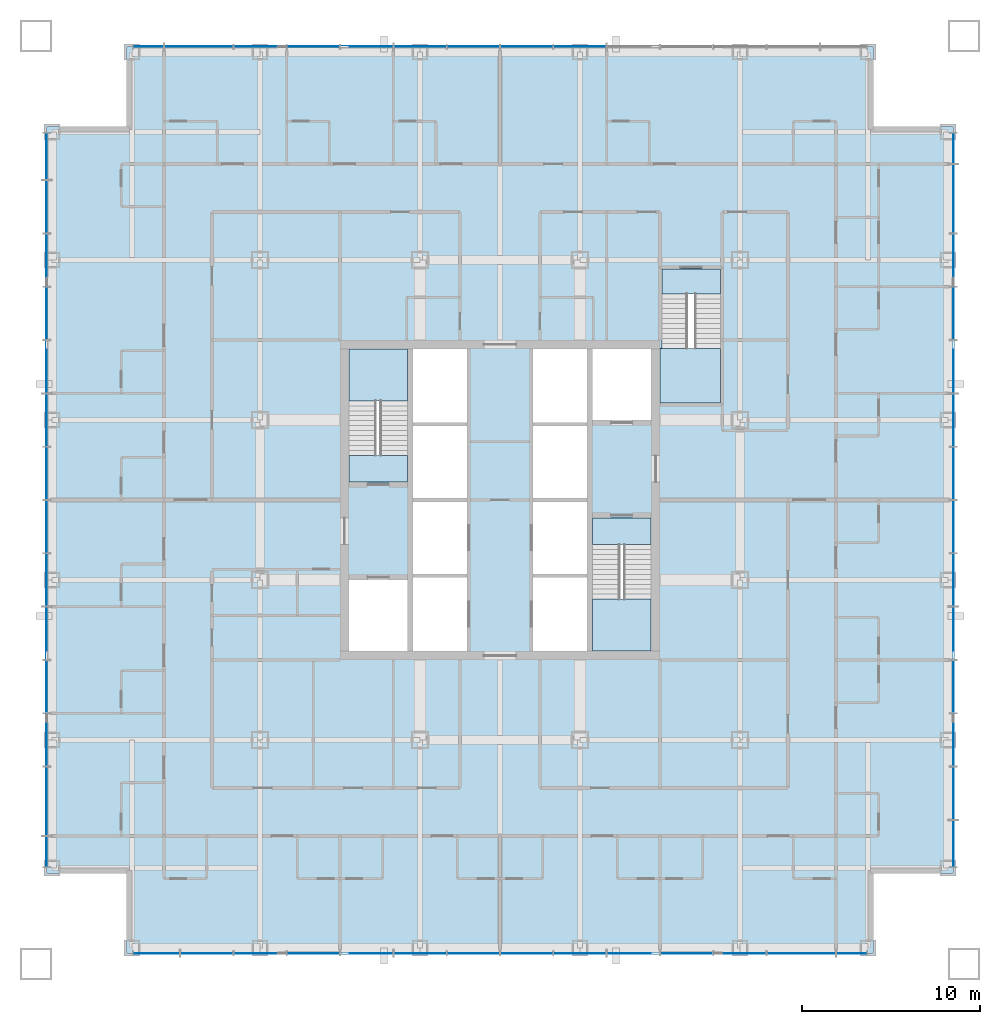
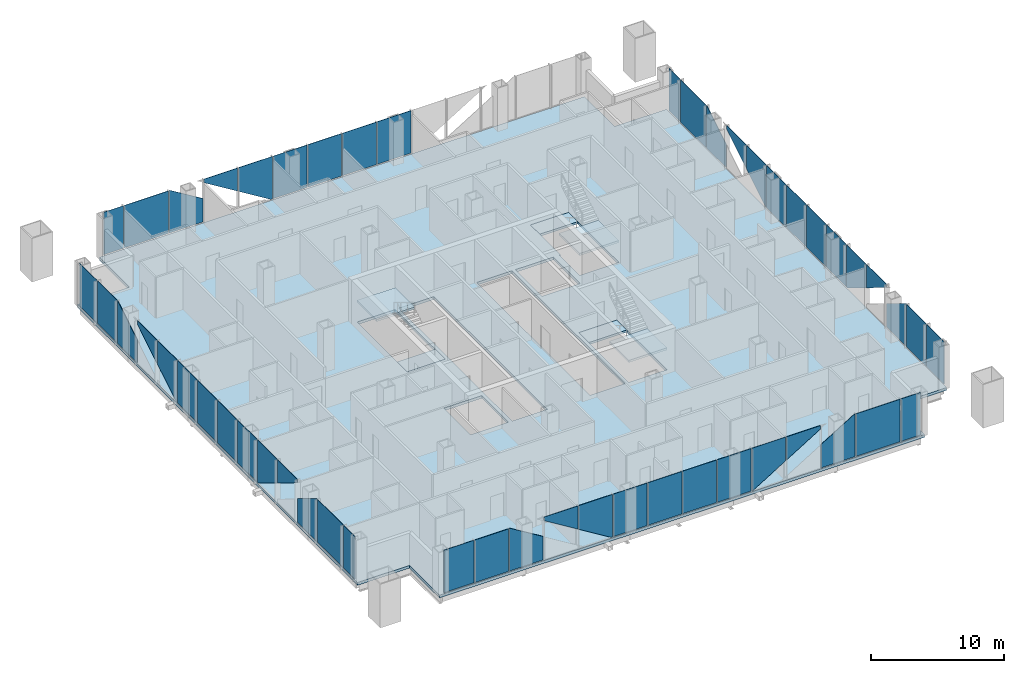
# One storey, part 6 of 17: 51 plates, 7 slabs, 7 elements without a shape of their own.
"""IFC4 building model written with IfcOpenShell, lengths in metres."""

from ifc_helpers import new_model, si_unit, direction, frame, origin, origin_2d, place, context, subcontext, project, spatial, polyline, rectangle, outline, extrude, material, layer, layer_set, type_object, element, aggregate, save


model = new_model("IFC4")

# Units and contexts
model_context = context("Model", 3, precision=1e-05, world=origin(), true_north=direction((0.0, 1.0)))
body_context = subcontext(model_context, "Body", "Model", "MODEL_VIEW")
ifc_project = project(units=[si_unit("LENGTHUNIT", "METRE"), si_unit("AREAUNIT", "SQUARE_METRE"), si_unit("VOLUMEUNIT", "CUBIC_METRE"), si_unit("PLANEANGLEUNIT", "RADIAN"), si_unit("MASSUNIT", "GRAM", prefix="KILO")], contexts=[model_context])

# Site, building, storey
site_placement = place(None, origin())
site = spatial("IfcSite", under=ifc_project, at=site_placement, CompositionType="ELEMENT")
building_placement = place(site_placement, origin())
building = spatial("IfcBuilding", under=site, at=building_placement, Name="Malebo Sky Hospital", CompositionType="ELEMENT")
storey_placement = place(building_placement, frame((0.0, 0.0, 51.0)))
storey = spatial("IfcBuildingStorey", under=building, at=storey_placement, Name="L11", CompositionType="ELEMENT", Elevation=51.0)

# Slab
ifc_material_1 = material(Name="Concrete C40/50", Category="concrete")
ifc_layer_1 = layer(ifc_material_1, 0.25)
ifc_layer_set_1 = layer_set([ifc_layer_1], Name="COMPOSITE FLOOR SLAB 250")
slab_type_1 = type_object("IfcSlabType", Name="COMPOSITE FLOOR SLAB 250", PredefinedType="FLOOR", material=ifc_layer_set_1)
slab_1_placement = place(storey_placement, frame((0.0, 0.0, -0.25)))
element("IfcSlab", 1, at=slab_1_placement, inside=storey, type_object=slab_type_1, Name="Floor slab L11", PredefinedType="FLOOR", context=body_context, shape_type="SweptSolid", body=[
    extrude(outline(polyline([(39.0, 87.5), (39.0, 83.0), (34.5, 83.0), (34.5, 41.0), (39.0, 41.0), (39.0, 36.5), (81.0, 36.5), (81.0, 41.0), (85.5, 41.0), (85.5, 83.0), (81.0, 83.0), (81.0, 87.5), (39.0, 87.5)]), holes=[polyline([(55.10009765625, 70.5), (58.14990234375, 70.5), (58.14990234375, 53.5), (55.10009765625, 53.5), (55.10009765625, 70.5)]), polyline([(64.89990234375, 70.5), (64.89990234375, 53.5), (61.85009765625, 53.5), (61.85009765625, 70.5), (64.89990234375, 70.5)]), polyline([(54.800048828125, 63.0), (51.5, 63.0), (51.5, 70.5), (54.800048828125, 70.5), (54.800048828125, 63.0)]), polyline([(51.5, 53.5), (51.5, 57.5), (54.800048828125, 57.5), (54.800048828125, 53.5), (51.5, 53.5)]), polyline([(65.199951171875, 61.0), (68.5, 61.0), (68.5, 53.5), (65.199951171875, 53.5), (65.199951171875, 61.0)]), polyline([(68.5, 70.5), (68.5, 66.5), (65.199951171875, 66.5), (65.199951171875, 70.5), (68.5, 70.5)]), polyline([(69.0, 67.449951171875), (69.0, 70.52001953125), (69.10009765625, 70.52001953125), (69.10009765625, 75.0), (72.39990234375, 75.0), (72.39990234375, 67.449951171875), (69.10009765625, 67.449951171875), (69.0, 67.449951171875)])]), origin(), (0.0, 0.0, 1.0), 0.25),
])

# Stair, slabs
stair_type_1 = type_object("IfcStairType", Name="HALF-TURN STAIR 1500 R167", PredefinedType="HALF_TURN_STAIR", material=ifc_material_1)
stair_1_placement = place(storey_placement, origin())
stair_1 = element("IfcStair", 2, at=stair_1_placement, inside=storey, type_object=stair_type_1, Name="Stair S1 L11 type ST1", PredefinedType="HALF_TURN_STAIR")
ifc_layer_2 = layer(ifc_material_1, 0.199951171875)
ifc_layer_set_2 = layer_set([ifc_layer_2], Name="STAIR LANDING 200")
slab_type_2 = type_object("IfcSlabType", Name="STAIR LANDING 200", PredefinedType="LANDING", material=ifc_layer_set_2)
slab_2_placement = place(storey_placement, frame((0.0, 0.0, -0.199951171875)))
slab_2 = element("IfcSlab", 3, at=slab_2_placement, type_object=slab_type_2, Name="S1 landing 1", PredefinedType="LANDING", context=body_context, shape_type="SweptSolid", body=[
    extrude(outline(polyline([(51.5, 63.0), (54.800048828125, 63.0), (54.800048828125, 64.5), (51.5, 64.5), (51.5, 63.0)])), origin(), (0.0, 0.0, 1.0), 0.199951171875),
])
slab_3_placement = place(storey_placement, frame((0.0, 0.0, 1.800048828125)))
slab_3 = element("IfcSlab", 4, at=slab_3_placement, type_object=slab_type_2, Name="S1 landing 2", PredefinedType="LANDING", context=body_context, shape_type="SweptSolid", body=[
    extrude(outline(polyline([(51.5, 67.580078125), (54.800048828125, 67.580078125), (54.800048828125, 70.5), (51.5, 70.5), (51.5, 67.580078125)])), origin(), (0.0, 0.0, 1.0), 0.199951171875),
])
aggregate(stair_1, [slab_2, slab_3])

stair_2_placement = place(storey_placement, origin())
stair_2 = element("IfcStair", 5, at=stair_2_placement, inside=storey, type_object=stair_type_1, Name="Stair S2 L11 type ST1", PredefinedType="HALF_TURN_STAIR")
slab_4_placement = place(storey_placement, frame((0.0, 0.0, -0.199951171875)))
slab_4 = element("IfcSlab", 6, at=slab_4_placement, type_object=slab_type_2, Name="S2 landing 1", PredefinedType="LANDING", context=body_context, shape_type="SweptSolid", body=[
    extrude(outline(polyline([(65.199951171875, 59.5), (68.5, 59.5), (68.5, 61.0), (65.199951171875, 61.0), (65.199951171875, 59.5)])), origin(), (0.0, 0.0, 1.0), 0.199951171875),
])
slab_5_placement = place(storey_placement, frame((0.0, 0.0, 1.800048828125)))
slab_5 = element("IfcSlab", 7, at=slab_5_placement, type_object=slab_type_2, Name="S2 landing 2", PredefinedType="LANDING", context=body_context, shape_type="SweptSolid", body=[
    extrude(outline(polyline([(65.199951171875, 53.5), (68.5, 53.5), (68.5, 56.419921875), (65.199951171875, 56.419921875), (65.199951171875, 53.5)])), origin(), (0.0, 0.0, 1.0), 0.199951171875),
])
aggregate(stair_2, [slab_4, slab_5])

stair_type_2 = type_object("IfcStairType", Name="HALF-TURN STAIR 1400 R167", PredefinedType="HALF_TURN_STAIR", material=ifc_material_1)
stair_3_placement = place(storey_placement, origin())
stair_3 = element("IfcStair", 8, at=stair_3_placement, inside=storey, type_object=stair_type_2, Name="Stair S3 L11 type ST1B", PredefinedType="HALF_TURN_STAIR")
slab_6_placement = place(storey_placement, frame((0.0, 0.0, -0.199951171875)))
slab_6 = element("IfcSlab", 9, at=slab_6_placement, type_object=slab_type_2, Name="S3 landing 1", PredefinedType="LANDING", context=body_context, shape_type="SweptSolid", body=[
    extrude(outline(polyline([(69.10009765625, 73.60009765625), (72.39990234375, 73.60009765625), (72.39990234375, 75.0), (69.10009765625, 75.0), (69.10009765625, 73.60009765625)])), origin(), (0.0, 0.0, 1.0), 0.199951171875),
])
slab_7_placement = place(storey_placement, frame((0.0, 0.0, 1.800048828125)))
slab_7 = element("IfcSlab", 10, at=slab_7_placement, type_object=slab_type_2, Name="S3 landing 2", PredefinedType="LANDING", context=body_context, shape_type="SweptSolid", body=[
    extrude(outline(polyline([(69.0, 67.449951171875), (72.39990234375, 67.449951171875), (72.39990234375, 70.52001953125), (69.0, 70.52001953125), (69.0, 67.449951171875)])), origin(), (0.0, 0.0, 1.0), 0.199951171875),
])
aggregate(stair_3, [slab_6, slab_7])

# Curtain wall, plates
ifc_material_2 = material(Name="Anodised aluminium, natural silver", Category="aluminium")
ifc_layer_3 = layer(ifc_material_2, 0.25)
ifc_layer_set_3 = layer_set([ifc_layer_3], Name="WARD CURTAIN WALL NORTH AND SOUTH")
curtain_wall_type_1 = type_object("IfcCurtainWallType", Name="WARD CURTAIN WALL NORTH AND SOUTH", PredefinedType="NOTDEFINED", material=ifc_layer_set_3)
curtain_wall_1_placement = place(storey_placement, origin())
curtain_wall_1 = element("IfcCurtainWall", 11, at=curtain_wall_1_placement, inside=storey, type_object=curtain_wall_type_1, Name="NS curtain wall N", PredefinedType="NOTDEFINED")
ifc_material_3 = material(Name="Clear low-iron double glazing", Category="glass")
ifc_layer_4 = layer(ifc_material_3, 0.031982421875)
ifc_layer_set_4 = layer_set([ifc_layer_4], Name="VISION PANEL CLEAR 32")
plate_type = type_object("IfcPlateType", Name="VISION PANEL CLEAR 32", PredefinedType="CURTAIN_PANEL", material=ifc_layer_set_4)
plate_1_placement = place(storey_placement, frame((40.21875, 87.5, 0.10009765625), z_axis=(0.0, 0.0, 1.0), x_axis=(1.0, 0.0, 0.0)))
plate_1 = element("IfcPlate", 12, at=plate_1_placement, type_object=plate_type, Name="Panel 1", PredefinedType="CURTAIN_PANEL", context=body_context, shape_type="SweptSolid", body=[
    extrude(rectangle(XDim=1.6875, YDim=0.031982421875, at=origin_2d()), origin(), (0.0, 0.0, 1.0), 3.889892578125),
])
plate_2_placement = place(storey_placement, frame((43.050048828125, 87.5, 0.10009765625), z_axis=(0.0, 0.0, 1.0), x_axis=(1.0, 0.0, 0.0)))
plate_2 = element("IfcPlate", 13, at=plate_2_placement, type_object=plate_type, Name="Panel 2", PredefinedType="CURTAIN_PANEL", context=body_context, shape_type="SweptSolid", body=[
    extrude(rectangle(XDim=3.824951171875, YDim=0.031982421875, at=origin_2d()), origin(), (0.0, 0.0, 1.0), 3.889892578125),
])
plate_3_placement = place(storey_placement, frame((46.5, 87.5, 0.10009765625), z_axis=(0.0, 0.0, 1.0), x_axis=(1.0, 0.0, 0.0)))
plate_3 = element("IfcPlate", 14, at=plate_3_placement, type_object=plate_type, Name="Panel 3", PredefinedType="CURTAIN_PANEL", context=body_context, shape_type="SweptSolid", body=[
    extrude(outline(polyline([(-1.46240234375, 0.0), (1.46240234375, 0.0), (1.46240234375, 2.145751953125), (-1.3828125, 3.889892578125), (-1.46240234375, 3.889892578125), (-1.46240234375, 0.0)])), frame((0.0, 0.01611328125, 0.0), z_axis=(0.0, -1.0, 0.0), x_axis=(1.0, 0.0, 0.0)), (0.0, 0.0, 1.0), 0.031982421875),
])
plate_4_placement = place(storey_placement, frame((49.5, 87.5, 1.8740234375), z_axis=(0.0, 0.0, 1.0), x_axis=(1.0, 0.0, 0.0)))
plate_4 = element("IfcPlate", 15, at=plate_4_placement, type_object=plate_type, Name="Panel 4", PredefinedType="CURTAIN_PANEL", context=body_context, shape_type="SweptSolid", body=[
    extrude(outline(polyline([(1.46240234375, 0.0), (1.46240234375, 2.115966796875), (-1.46240234375, 2.115966796875), (-1.46240234375, 1.793212890625), (1.46240234375, 0.0)])), frame((0.0, 0.01611328125, 0.0), z_axis=(0.0, -1.0, 0.0), x_axis=(1.0, 0.0, 0.0)), (0.0, 0.0, 1.0), 0.031982421875),
])
plate_5_placement = place(storey_placement, frame((52.5, 87.5, 0.10009765625), z_axis=(0.0, 0.0, 1.0), x_axis=(1.0, 0.0, 0.0)))
plate_5 = element("IfcPlate", 16, at=plate_5_placement, type_object=plate_type, Name="Panel 5", PredefinedType="CURTAIN_PANEL", context=body_context, shape_type="SweptSolid", body=[
    extrude(outline(polyline([(1.356201171875, 0.0), (1.46240234375, 0.0), (1.46240234375, 3.889892578125), (-1.46240234375, 3.889892578125), (-1.46240234375, 1.72802734375), (1.356201171875, 0.0)])), frame((0.0, 0.01611328125, 0.0), z_axis=(0.0, -1.0, 0.0), x_axis=(1.0, 0.0, 0.0)), (0.0, 0.0, 1.0), 0.031982421875),
])
plate_6_placement = place(storey_placement, frame((55.5, 87.5, 0.10009765625), z_axis=(0.0, 0.0, 1.0), x_axis=(1.0, 0.0, 0.0)))
plate_6 = element("IfcPlate", 17, at=plate_6_placement, type_object=plate_type, Name="Panel 6", PredefinedType="CURTAIN_PANEL", context=body_context, shape_type="SweptSolid", body=[
    extrude(rectangle(XDim=2.925048828125, YDim=0.031982421875, at=origin_2d()), origin(), (0.0, 0.0, 1.0), 3.889892578125),
])
plate_7_placement = place(storey_placement, frame((58.5, 87.5, 0.10009765625), z_axis=(0.0, 0.0, 1.0), x_axis=(1.0, 0.0, 0.0)))
plate_7 = element("IfcPlate", 18, at=plate_7_placement, type_object=plate_type, Name="Panel 7", PredefinedType="CURTAIN_PANEL", context=body_context, shape_type="SweptSolid", body=[
    extrude(rectangle(XDim=2.925048828125, YDim=0.031982421875, at=origin_2d()), origin(), (0.0, 0.0, 1.0), 3.889892578125),
])
plate_8_placement = place(storey_placement, frame((61.5, 87.5, 0.10009765625), z_axis=(0.0, 0.0, 1.0), x_axis=(1.0, 0.0, 0.0)))
plate_8 = element("IfcPlate", 19, at=plate_8_placement, type_object=plate_type, Name="Panel 8", PredefinedType="CURTAIN_PANEL", context=body_context, shape_type="SweptSolid", body=[
    extrude(rectangle(XDim=2.925048828125, YDim=0.031982421875, at=origin_2d()), origin(), (0.0, 0.0, 1.0), 3.889892578125),
])
plate_9_placement = place(storey_placement, frame((64.5, 87.5, 0.10009765625), z_axis=(0.0, 0.0, 1.0), x_axis=(1.0, 0.0, 0.0)))
plate_9 = element("IfcPlate", 20, at=plate_9_placement, type_object=plate_type, Name="Panel 9", PredefinedType="CURTAIN_PANEL", context=body_context, shape_type="SweptSolid", body=[
    extrude(rectangle(XDim=2.925048828125, YDim=0.031982421875, at=origin_2d()), origin(), (0.0, 0.0, 1.0), 3.889892578125),
])
aggregate(curtain_wall_1, [plate_1, plate_2, plate_3, plate_4, plate_5, plate_6, plate_7, plate_8, plate_9])

ifc_layer_5 = layer(ifc_material_2, 0.25)
ifc_layer_set_5 = layer_set([ifc_layer_5], Name="WARD CURTAIN WALL EAST AND WEST")
curtain_wall_type_2 = type_object("IfcCurtainWallType", Name="WARD CURTAIN WALL EAST AND WEST", PredefinedType="NOTDEFINED", material=ifc_layer_set_5)
curtain_wall_2_placement = place(storey_placement, origin())
curtain_wall_2 = element("IfcCurtainWall", 21, at=curtain_wall_2_placement, inside=storey, type_object=curtain_wall_type_2, Name="EW curtain wall W", PredefinedType="NOTDEFINED")
plate_10_placement = place(storey_placement, frame((34.5, 42.21875, 0.10009765625), z_axis=(0.0, 0.0, 1.0), x_axis=(0.0, 1.0, 0.0)))
plate_10 = element("IfcPlate", 22, at=plate_10_placement, type_object=plate_type, Name="Panel 1", PredefinedType="CURTAIN_PANEL", context=body_context, shape_type="SweptSolid", body=[
    extrude(rectangle(XDim=1.6875, YDim=0.031982421875, at=origin_2d()), origin(), (0.0, 0.0, 1.0), 3.889892578125),
])
plate_11_placement = place(storey_placement, frame((34.5, 45.050048828125, 0.10009765625), z_axis=(0.0, 0.0, 1.0), x_axis=(0.0, 1.0, 0.0)))
plate_11 = element("IfcPlate", 23, at=plate_11_placement, type_object=plate_type, Name="Panel 2", PredefinedType="CURTAIN_PANEL", context=body_context, shape_type="SweptSolid", body=[
    extrude(rectangle(XDim=3.824951171875, YDim=0.031982421875, at=origin_2d()), origin(), (0.0, 0.0, 1.0), 3.889892578125),
])
plate_12_placement = place(storey_placement, frame((34.5, 48.5, 0.10009765625), z_axis=(0.0, 0.0, 1.0), x_axis=(0.0, 1.0, 0.0)))
plate_12 = element("IfcPlate", 24, at=plate_12_placement, type_object=plate_type, Name="Panel 3", PredefinedType="CURTAIN_PANEL", context=body_context, shape_type="SweptSolid", body=[
    extrude(outline(polyline([(-1.46240234375, 0.0), (1.46240234375, 0.0), (1.46240234375, 2.145751953125), (-1.3828125, 3.889892578125), (-1.46240234375, 3.889892578125), (-1.46240234375, 0.0)])), frame((0.0, 0.01611328125, 0.0), z_axis=(0.0, -1.0, 0.0), x_axis=(1.0, 0.0, 0.0)), (0.0, 0.0, 1.0), 0.031982421875),
])
plate_13_placement = place(storey_placement, frame((34.5, 51.5, 1.8740234375), z_axis=(0.0, 0.0, 1.0), x_axis=(0.0, 1.0, 0.0)))
plate_13 = element("IfcPlate", 25, at=plate_13_placement, type_object=plate_type, Name="Panel 4", PredefinedType="CURTAIN_PANEL", context=body_context, shape_type="SweptSolid", body=[
    extrude(outline(polyline([(1.46240234375, 0.0), (1.46240234375, 2.115966796875), (-1.46240234375, 2.115966796875), (-1.46240234375, 1.793212890625), (1.46240234375, 0.0)])), frame((0.0, 0.01611328125, 0.0), z_axis=(0.0, -1.0, 0.0), x_axis=(1.0, 0.0, 0.0)), (0.0, 0.0, 1.0), 0.031982421875),
])
plate_14_placement = place(storey_placement, frame((34.5, 54.5, 0.10009765625), z_axis=(0.0, 0.0, 1.0), x_axis=(0.0, 1.0, 0.0)))
plate_14 = element("IfcPlate", 26, at=plate_14_placement, type_object=plate_type, Name="Panel 5", PredefinedType="CURTAIN_PANEL", context=body_context, shape_type="SweptSolid", body=[
    extrude(outline(polyline([(1.356201171875, 0.0), (1.46240234375, 0.0), (1.46240234375, 3.889892578125), (-1.46240234375, 3.889892578125), (-1.46240234375, 1.72802734375), (1.356201171875, 0.0)])), frame((0.0, 0.01611328125, 0.0), z_axis=(0.0, -1.0, 0.0), x_axis=(1.0, 0.0, 0.0)), (0.0, 0.0, 1.0), 0.031982421875),
])
plate_15_placement = place(storey_placement, frame((34.5, 57.5, 0.10009765625), z_axis=(0.0, 0.0, 1.0), x_axis=(0.0, 1.0, 0.0)))
plate_15 = element("IfcPlate", 27, at=plate_15_placement, type_object=plate_type, Name="Panel 6", PredefinedType="CURTAIN_PANEL", context=body_context, shape_type="SweptSolid", body=[
    extrude(rectangle(XDim=2.925048828125, YDim=0.031982421875, at=origin_2d()), origin(), (0.0, 0.0, 1.0), 3.889892578125),
])
plate_16_placement = place(storey_placement, frame((34.5, 60.5, 0.10009765625), z_axis=(0.0, 0.0, 1.0), x_axis=(0.0, 1.0, 0.0)))
plate_16 = element("IfcPlate", 28, at=plate_16_placement, type_object=plate_type, Name="Panel 7", PredefinedType="CURTAIN_PANEL", context=body_context, shape_type="SweptSolid", body=[
    extrude(rectangle(XDim=2.925048828125, YDim=0.031982421875, at=origin_2d()), origin(), (0.0, 0.0, 1.0), 3.889892578125),
])
plate_17_placement = place(storey_placement, frame((34.5, 63.5, 0.10009765625), z_axis=(0.0, 0.0, 1.0), x_axis=(0.0, 1.0, 0.0)))
plate_17 = element("IfcPlate", 29, at=plate_17_placement, type_object=plate_type, Name="Panel 8", PredefinedType="CURTAIN_PANEL", context=body_context, shape_type="SweptSolid", body=[
    extrude(rectangle(XDim=2.925048828125, YDim=0.031982421875, at=origin_2d()), origin(), (0.0, 0.0, 1.0), 3.889892578125),
])
plate_18_placement = place(storey_placement, frame((34.5, 66.5, 0.10009765625), z_axis=(0.0, 0.0, 1.0), x_axis=(0.0, 1.0, 0.0)))
plate_18 = element("IfcPlate", 30, at=plate_18_placement, type_object=plate_type, Name="Panel 9", PredefinedType="CURTAIN_PANEL", context=body_context, shape_type="SweptSolid", body=[
    extrude(rectangle(XDim=2.925048828125, YDim=0.031982421875, at=origin_2d()), origin(), (0.0, 0.0, 1.0), 3.889892578125),
])
plate_19_placement = place(storey_placement, frame((34.5, 69.5, 0.10009765625), z_axis=(0.0, 0.0, 1.0), x_axis=(0.0, 1.0, 0.0)))
plate_19 = element("IfcPlate", 31, at=plate_19_placement, type_object=plate_type, Name="Panel 10", PredefinedType="CURTAIN_PANEL", context=body_context, shape_type="SweptSolid", body=[
    extrude(outline(polyline([(-1.46240234375, 0.0), (-1.356201171875, 0.0), (1.46240234375, 1.72802734375), (1.46240234375, 3.889892578125), (-1.46240234375, 3.889892578125), (-1.46240234375, 0.0)])), frame((0.0, 0.01611328125, 0.0), z_axis=(0.0, -1.0, 0.0), x_axis=(1.0, 0.0, 0.0)), (0.0, 0.0, 1.0), 0.031982421875),
])
plate_20_placement = place(storey_placement, frame((34.5, 72.5, 1.8740234375), z_axis=(0.0, 0.0, 1.0), x_axis=(0.0, 1.0, 0.0)))
plate_20 = element("IfcPlate", 32, at=plate_20_placement, type_object=plate_type, Name="Panel 11", PredefinedType="CURTAIN_PANEL", context=body_context, shape_type="SweptSolid", body=[
    extrude(outline(polyline([(-1.46240234375, 0.0), (1.46240234375, 1.793212890625), (1.46240234375, 2.115966796875), (-1.46240234375, 2.115966796875), (-1.46240234375, 0.0)])), frame((0.0, 0.01611328125, 0.0), z_axis=(0.0, -1.0, 0.0), x_axis=(1.0, 0.0, 0.0)), (0.0, 0.0, 1.0), 0.031982421875),
])
plate_21_placement = place(storey_placement, frame((34.5, 75.5, 0.10009765625), z_axis=(0.0, 0.0, 1.0), x_axis=(0.0, 1.0, 0.0)))
plate_21 = element("IfcPlate", 33, at=plate_21_placement, type_object=plate_type, Name="Panel 12", PredefinedType="CURTAIN_PANEL", context=body_context, shape_type="SweptSolid", body=[
    extrude(outline(polyline([(-1.46240234375, 0.0), (1.46240234375, 0.0), (1.46240234375, 3.889892578125), (1.3828125, 3.889892578125), (-1.46240234375, 2.145751953125), (-1.46240234375, 0.0)])), frame((0.0, 0.01611328125, 0.0), z_axis=(0.0, -1.0, 0.0), x_axis=(1.0, 0.0, 0.0)), (0.0, 0.0, 1.0), 0.031982421875),
])
plate_22_placement = place(storey_placement, frame((34.5, 78.5, 0.10009765625), z_axis=(0.0, 0.0, 1.0), x_axis=(0.0, 1.0, 0.0)))
plate_22 = element("IfcPlate", 34, at=plate_22_placement, type_object=plate_type, Name="Panel 13", PredefinedType="CURTAIN_PANEL", context=body_context, shape_type="SweptSolid", body=[
    extrude(rectangle(XDim=2.925048828125, YDim=0.031982421875, at=origin_2d()), origin(), (0.0, 0.0, 1.0), 3.889892578125),
])
plate_23_placement = place(storey_placement, frame((34.5, 81.331298828125, 0.10009765625), z_axis=(0.0, 0.0, 1.0), x_axis=(0.0, 1.0, 0.0)))
plate_23 = element("IfcPlate", 35, at=plate_23_placement, type_object=plate_type, Name="Panel 14", PredefinedType="CURTAIN_PANEL", context=body_context, shape_type="SweptSolid", body=[
    extrude(rectangle(XDim=2.58740234375, YDim=0.031982421875, at=origin_2d()), origin(), (0.0, 0.0, 1.0), 3.889892578125),
])
aggregate(curtain_wall_2, [plate_10, plate_11, plate_12, plate_13, plate_14, plate_15, plate_16, plate_17, plate_18, plate_19, plate_20, plate_21, plate_22, plate_23])

curtain_wall_3_placement = place(storey_placement, origin())
curtain_wall_3 = element("IfcCurtainWall", 36, at=curtain_wall_3_placement, inside=storey, type_object=curtain_wall_type_1, Name="NS curtain wall S", PredefinedType="NOTDEFINED")
plate_24_placement = place(storey_placement, frame((79.78125, 36.5, 0.10009765625), z_axis=(0.0, 0.0, 1.0), x_axis=(-1.0, 0.0, 0.0)))
plate_24 = element("IfcPlate", 37, at=plate_24_placement, type_object=plate_type, Name="Panel 1", PredefinedType="CURTAIN_PANEL", context=body_context, shape_type="SweptSolid", body=[
    extrude(rectangle(XDim=1.6875, YDim=0.031982421875, at=origin_2d()), origin(), (0.0, 0.0, 1.0), 3.889892578125),
])
plate_25_placement = place(storey_placement, frame((76.949951171875, 36.5, 0.10009765625), z_axis=(0.0, 0.0, 1.0), x_axis=(-1.0, 0.0, 0.0)))
plate_25 = element("IfcPlate", 38, at=plate_25_placement, type_object=plate_type, Name="Panel 2", PredefinedType="CURTAIN_PANEL", context=body_context, shape_type="SweptSolid", body=[
    extrude(rectangle(XDim=3.824951171875, YDim=0.031982421875, at=origin_2d()), origin(), (0.0, 0.0, 1.0), 3.889892578125),
])
plate_26_placement = place(storey_placement, frame((73.5, 36.5, 0.10009765625), z_axis=(0.0, 0.0, 1.0), x_axis=(-1.0, 0.0, 0.0)))
plate_26 = element("IfcPlate", 39, at=plate_26_placement, type_object=plate_type, Name="Panel 3", PredefinedType="CURTAIN_PANEL", context=body_context, shape_type="SweptSolid", body=[
    extrude(outline(polyline([(-1.46240234375, 0.0), (1.46240234375, 0.0), (1.46240234375, 2.145751953125), (-1.3828125, 3.889892578125), (-1.46240234375, 3.889892578125), (-1.46240234375, 0.0)])), frame((0.0, 0.01611328125, 0.0), z_axis=(0.0, -1.0, 0.0), x_axis=(1.0, 0.0, 0.0)), (0.0, 0.0, 1.0), 0.031982421875),
])
plate_27_placement = place(storey_placement, frame((70.5, 36.5, 1.8740234375), z_axis=(0.0, 0.0, 1.0), x_axis=(-1.0, 0.0, 0.0)))
plate_27 = element("IfcPlate", 40, at=plate_27_placement, type_object=plate_type, Name="Panel 4", PredefinedType="CURTAIN_PANEL", context=body_context, shape_type="SweptSolid", body=[
    extrude(outline(polyline([(1.46240234375, 0.0), (1.46240234375, 2.115966796875), (-1.46240234375, 2.115966796875), (-1.46240234375, 1.793212890625), (1.46240234375, 0.0)])), frame((0.0, 0.01611328125, 0.0), z_axis=(0.0, -1.0, 0.0), x_axis=(1.0, 0.0, 0.0)), (0.0, 0.0, 1.0), 0.031982421875),
])
plate_28_placement = place(storey_placement, frame((67.5, 36.5, 0.10009765625), z_axis=(0.0, 0.0, 1.0), x_axis=(-1.0, 0.0, 0.0)))
plate_28 = element("IfcPlate", 41, at=plate_28_placement, type_object=plate_type, Name="Panel 5", PredefinedType="CURTAIN_PANEL", context=body_context, shape_type="SweptSolid", body=[
    extrude(outline(polyline([(1.356201171875, 0.0), (1.46240234375, 0.0), (1.46240234375, 3.889892578125), (-1.46240234375, 3.889892578125), (-1.46240234375, 1.72802734375), (1.356201171875, 0.0)])), frame((0.0, 0.01611328125, 0.0), z_axis=(0.0, -1.0, 0.0), x_axis=(1.0, 0.0, 0.0)), (0.0, 0.0, 1.0), 0.031982421875),
])
plate_29_placement = place(storey_placement, frame((64.5, 36.5, 0.10009765625), z_axis=(0.0, 0.0, 1.0), x_axis=(-1.0, 0.0, 0.0)))
plate_29 = element("IfcPlate", 42, at=plate_29_placement, type_object=plate_type, Name="Panel 6", PredefinedType="CURTAIN_PANEL", context=body_context, shape_type="SweptSolid", body=[
    extrude(rectangle(XDim=2.925048828125, YDim=0.031982421875, at=origin_2d()), origin(), (0.0, 0.0, 1.0), 3.889892578125),
])
plate_30_placement = place(storey_placement, frame((61.5, 36.5, 0.10009765625), z_axis=(0.0, 0.0, 1.0), x_axis=(-1.0, 0.0, 0.0)))
plate_30 = element("IfcPlate", 43, at=plate_30_placement, type_object=plate_type, Name="Panel 7", PredefinedType="CURTAIN_PANEL", context=body_context, shape_type="SweptSolid", body=[
    extrude(rectangle(XDim=2.925048828125, YDim=0.031982421875, at=origin_2d()), origin(), (0.0, 0.0, 1.0), 3.889892578125),
])
plate_31_placement = place(storey_placement, frame((58.5, 36.5, 0.10009765625), z_axis=(0.0, 0.0, 1.0), x_axis=(-1.0, 0.0, 0.0)))
plate_31 = element("IfcPlate", 44, at=plate_31_placement, type_object=plate_type, Name="Panel 8", PredefinedType="CURTAIN_PANEL", context=body_context, shape_type="SweptSolid", body=[
    extrude(rectangle(XDim=2.925048828125, YDim=0.031982421875, at=origin_2d()), origin(), (0.0, 0.0, 1.0), 3.889892578125),
])
plate_32_placement = place(storey_placement, frame((55.5, 36.5, 0.10009765625), z_axis=(0.0, 0.0, 1.0), x_axis=(-1.0, 0.0, 0.0)))
plate_32 = element("IfcPlate", 45, at=plate_32_placement, type_object=plate_type, Name="Panel 9", PredefinedType="CURTAIN_PANEL", context=body_context, shape_type="SweptSolid", body=[
    extrude(rectangle(XDim=2.925048828125, YDim=0.031982421875, at=origin_2d()), origin(), (0.0, 0.0, 1.0), 3.889892578125),
])
plate_33_placement = place(storey_placement, frame((52.5, 36.5, 0.10009765625), z_axis=(0.0, 0.0, 1.0), x_axis=(-1.0, 0.0, 0.0)))
plate_33 = element("IfcPlate", 46, at=plate_33_placement, type_object=plate_type, Name="Panel 10", PredefinedType="CURTAIN_PANEL", context=body_context, shape_type="SweptSolid", body=[
    extrude(outline(polyline([(-1.46240234375, 0.0), (-1.356201171875, 0.0), (1.46240234375, 1.72802734375), (1.46240234375, 3.889892578125), (-1.46240234375, 3.889892578125), (-1.46240234375, 0.0)])), frame((0.0, 0.01611328125, 0.0), z_axis=(0.0, -1.0, 0.0), x_axis=(1.0, 0.0, 0.0)), (0.0, 0.0, 1.0), 0.031982421875),
])
plate_34_placement = place(storey_placement, frame((49.5, 36.5, 1.8740234375), z_axis=(0.0, 0.0, 1.0), x_axis=(-1.0, 0.0, 0.0)))
plate_34 = element("IfcPlate", 47, at=plate_34_placement, type_object=plate_type, Name="Panel 11", PredefinedType="CURTAIN_PANEL", context=body_context, shape_type="SweptSolid", body=[
    extrude(outline(polyline([(-1.46240234375, 0.0), (1.46240234375, 1.793212890625), (1.46240234375, 2.115966796875), (-1.46240234375, 2.115966796875), (-1.46240234375, 0.0)])), frame((0.0, 0.01611328125, 0.0), z_axis=(0.0, -1.0, 0.0), x_axis=(1.0, 0.0, 0.0)), (0.0, 0.0, 1.0), 0.031982421875),
])
plate_35_placement = place(storey_placement, frame((46.5, 36.5, 0.10009765625), z_axis=(0.0, 0.0, 1.0), x_axis=(-1.0, 0.0, 0.0)))
plate_35 = element("IfcPlate", 48, at=plate_35_placement, type_object=plate_type, Name="Panel 12", PredefinedType="CURTAIN_PANEL", context=body_context, shape_type="SweptSolid", body=[
    extrude(outline(polyline([(-1.46240234375, 0.0), (1.46240234375, 0.0), (1.46240234375, 3.889892578125), (1.3828125, 3.889892578125), (-1.46240234375, 2.145751953125), (-1.46240234375, 0.0)])), frame((0.0, 0.01611328125, 0.0), z_axis=(0.0, -1.0, 0.0), x_axis=(1.0, 0.0, 0.0)), (0.0, 0.0, 1.0), 0.031982421875),
])
plate_36_placement = place(storey_placement, frame((43.5, 36.5, 0.10009765625), z_axis=(0.0, 0.0, 1.0), x_axis=(-1.0, 0.0, 0.0)))
plate_36 = element("IfcPlate", 49, at=plate_36_placement, type_object=plate_type, Name="Panel 13", PredefinedType="CURTAIN_PANEL", context=body_context, shape_type="SweptSolid", body=[
    extrude(rectangle(XDim=2.925048828125, YDim=0.031982421875, at=origin_2d()), origin(), (0.0, 0.0, 1.0), 3.889892578125),
])
plate_37_placement = place(storey_placement, frame((40.668701171875, 36.5, 0.10009765625), z_axis=(0.0, 0.0, 1.0), x_axis=(-1.0, 0.0, 0.0)))
plate_37 = element("IfcPlate", 50, at=plate_37_placement, type_object=plate_type, Name="Panel 14", PredefinedType="CURTAIN_PANEL", context=body_context, shape_type="SweptSolid", body=[
    extrude(rectangle(XDim=2.58740234375, YDim=0.031982421875, at=origin_2d()), origin(), (0.0, 0.0, 1.0), 3.889892578125),
])
aggregate(curtain_wall_3, [plate_24, plate_25, plate_26, plate_27, plate_28, plate_29, plate_30, plate_31, plate_32, plate_33, plate_34, plate_35, plate_36, plate_37])

curtain_wall_4_placement = place(storey_placement, origin())
curtain_wall_4 = element("IfcCurtainWall", 51, at=curtain_wall_4_placement, inside=storey, type_object=curtain_wall_type_2, Name="EW curtain wall E", PredefinedType="NOTDEFINED")
plate_38_placement = place(storey_placement, frame((85.5, 81.78125, 0.10009765625), z_axis=(0.0, 0.0, 1.0), x_axis=(0.0, -1.0, 0.0)))
plate_38 = element("IfcPlate", 52, at=plate_38_placement, type_object=plate_type, Name="Panel 1", PredefinedType="CURTAIN_PANEL", context=body_context, shape_type="SweptSolid", body=[
    extrude(rectangle(XDim=1.6875, YDim=0.031982421875, at=origin_2d()), origin(), (0.0, 0.0, 1.0), 3.889892578125),
])
plate_39_placement = place(storey_placement, frame((85.5, 78.949951171875, 0.10009765625), z_axis=(0.0, 0.0, 1.0), x_axis=(0.0, -1.0, 0.0)))
plate_39 = element("IfcPlate", 53, at=plate_39_placement, type_object=plate_type, Name="Panel 2", PredefinedType="CURTAIN_PANEL", context=body_context, shape_type="SweptSolid", body=[
    extrude(rectangle(XDim=3.824951171875, YDim=0.031982421875, at=origin_2d()), origin(), (0.0, 0.0, 1.0), 3.889892578125),
])
plate_40_placement = place(storey_placement, frame((85.5, 75.5, 0.10009765625), z_axis=(0.0, 0.0, 1.0), x_axis=(0.0, -1.0, 0.0)))
plate_40 = element("IfcPlate", 54, at=plate_40_placement, type_object=plate_type, Name="Panel 3", PredefinedType="CURTAIN_PANEL", context=body_context, shape_type="SweptSolid", body=[
    extrude(outline(polyline([(-1.46240234375, 0.0), (1.46240234375, 0.0), (1.46240234375, 2.145751953125), (-1.3828125, 3.889892578125), (-1.46240234375, 3.889892578125), (-1.46240234375, 0.0)])), frame((0.0, 0.01611328125, 0.0), z_axis=(0.0, -1.0, 0.0), x_axis=(1.0, 0.0, 0.0)), (0.0, 0.0, 1.0), 0.031982421875),
])
plate_41_placement = place(storey_placement, frame((85.5, 72.5, 1.8740234375), z_axis=(0.0, 0.0, 1.0), x_axis=(0.0, -1.0, 0.0)))
plate_41 = element("IfcPlate", 55, at=plate_41_placement, type_object=plate_type, Name="Panel 4", PredefinedType="CURTAIN_PANEL", context=body_context, shape_type="SweptSolid", body=[
    extrude(outline(polyline([(1.46240234375, 0.0), (1.46240234375, 2.115966796875), (-1.46240234375, 2.115966796875), (-1.46240234375, 1.793212890625), (1.46240234375, 0.0)])), frame((0.0, 0.01611328125, 0.0), z_axis=(0.0, -1.0, 0.0), x_axis=(1.0, 0.0, 0.0)), (0.0, 0.0, 1.0), 0.031982421875),
])
plate_42_placement = place(storey_placement, frame((85.5, 69.5, 0.10009765625), z_axis=(0.0, 0.0, 1.0), x_axis=(0.0, -1.0, 0.0)))
plate_42 = element("IfcPlate", 56, at=plate_42_placement, type_object=plate_type, Name="Panel 5", PredefinedType="CURTAIN_PANEL", context=body_context, shape_type="SweptSolid", body=[
    extrude(outline(polyline([(1.356201171875, 0.0), (1.46240234375, 0.0), (1.46240234375, 3.889892578125), (-1.46240234375, 3.889892578125), (-1.46240234375, 1.72802734375), (1.356201171875, 0.0)])), frame((0.0, 0.01611328125, 0.0), z_axis=(0.0, -1.0, 0.0), x_axis=(1.0, 0.0, 0.0)), (0.0, 0.0, 1.0), 0.031982421875),
])
plate_43_placement = place(storey_placement, frame((85.5, 66.5, 0.10009765625), z_axis=(0.0, 0.0, 1.0), x_axis=(0.0, -1.0, 0.0)))
plate_43 = element("IfcPlate", 57, at=plate_43_placement, type_object=plate_type, Name="Panel 6", PredefinedType="CURTAIN_PANEL", context=body_context, shape_type="SweptSolid", body=[
    extrude(rectangle(XDim=2.925048828125, YDim=0.031982421875, at=origin_2d()), origin(), (0.0, 0.0, 1.0), 3.889892578125),
])
plate_44_placement = place(storey_placement, frame((85.5, 63.5, 0.10009765625), z_axis=(0.0, 0.0, 1.0), x_axis=(0.0, -1.0, 0.0)))
plate_44 = element("IfcPlate", 58, at=plate_44_placement, type_object=plate_type, Name="Panel 7", PredefinedType="CURTAIN_PANEL", context=body_context, shape_type="SweptSolid", body=[
    extrude(rectangle(XDim=2.925048828125, YDim=0.031982421875, at=origin_2d()), origin(), (0.0, 0.0, 1.0), 3.889892578125),
])
plate_45_placement = place(storey_placement, frame((85.5, 60.5, 0.10009765625), z_axis=(0.0, 0.0, 1.0), x_axis=(0.0, -1.0, 0.0)))
plate_45 = element("IfcPlate", 59, at=plate_45_placement, type_object=plate_type, Name="Panel 8", PredefinedType="CURTAIN_PANEL", context=body_context, shape_type="SweptSolid", body=[
    extrude(rectangle(XDim=2.925048828125, YDim=0.031982421875, at=origin_2d()), origin(), (0.0, 0.0, 1.0), 3.889892578125),
])
plate_46_placement = place(storey_placement, frame((85.5, 57.5, 0.10009765625), z_axis=(0.0, 0.0, 1.0), x_axis=(0.0, -1.0, 0.0)))
plate_46 = element("IfcPlate", 60, at=plate_46_placement, type_object=plate_type, Name="Panel 9", PredefinedType="CURTAIN_PANEL", context=body_context, shape_type="SweptSolid", body=[
    extrude(rectangle(XDim=2.925048828125, YDim=0.031982421875, at=origin_2d()), origin(), (0.0, 0.0, 1.0), 3.889892578125),
])
plate_47_placement = place(storey_placement, frame((85.5, 54.5, 0.10009765625), z_axis=(0.0, 0.0, 1.0), x_axis=(0.0, -1.0, 0.0)))
plate_47 = element("IfcPlate", 61, at=plate_47_placement, type_object=plate_type, Name="Panel 10", PredefinedType="CURTAIN_PANEL", context=body_context, shape_type="SweptSolid", body=[
    extrude(outline(polyline([(-1.46240234375, 0.0), (-1.356201171875, 0.0), (1.46240234375, 1.72802734375), (1.46240234375, 3.889892578125), (-1.46240234375, 3.889892578125), (-1.46240234375, 0.0)])), frame((0.0, 0.01611328125, 0.0), z_axis=(0.0, -1.0, 0.0), x_axis=(1.0, 0.0, 0.0)), (0.0, 0.0, 1.0), 0.031982421875),
])
plate_48_placement = place(storey_placement, frame((85.5, 51.5, 1.8740234375), z_axis=(0.0, 0.0, 1.0), x_axis=(0.0, -1.0, 0.0)))
plate_48 = element("IfcPlate", 62, at=plate_48_placement, type_object=plate_type, Name="Panel 11", PredefinedType="CURTAIN_PANEL", context=body_context, shape_type="SweptSolid", body=[
    extrude(outline(polyline([(-1.46240234375, 0.0), (1.46240234375, 1.793212890625), (1.46240234375, 2.115966796875), (-1.46240234375, 2.115966796875), (-1.46240234375, 0.0)])), frame((0.0, 0.01611328125, 0.0), z_axis=(0.0, -1.0, 0.0), x_axis=(1.0, 0.0, 0.0)), (0.0, 0.0, 1.0), 0.031982421875),
])
plate_49_placement = place(storey_placement, frame((85.5, 48.5, 0.10009765625), z_axis=(0.0, 0.0, 1.0), x_axis=(0.0, -1.0, 0.0)))
plate_49 = element("IfcPlate", 63, at=plate_49_placement, type_object=plate_type, Name="Panel 12", PredefinedType="CURTAIN_PANEL", context=body_context, shape_type="SweptSolid", body=[
    extrude(outline(polyline([(-1.46240234375, 0.0), (1.46240234375, 0.0), (1.46240234375, 3.889892578125), (1.3828125, 3.889892578125), (-1.46240234375, 2.145751953125), (-1.46240234375, 0.0)])), frame((0.0, 0.01611328125, 0.0), z_axis=(0.0, -1.0, 0.0), x_axis=(1.0, 0.0, 0.0)), (0.0, 0.0, 1.0), 0.031982421875),
])
plate_50_placement = place(storey_placement, frame((85.5, 45.5, 0.10009765625), z_axis=(0.0, 0.0, 1.0), x_axis=(0.0, -1.0, 0.0)))
plate_50 = element("IfcPlate", 64, at=plate_50_placement, type_object=plate_type, Name="Panel 13", PredefinedType="CURTAIN_PANEL", context=body_context, shape_type="SweptSolid", body=[
    extrude(rectangle(XDim=2.925048828125, YDim=0.031982421875, at=origin_2d()), origin(), (0.0, 0.0, 1.0), 3.889892578125),
])
plate_51_placement = place(storey_placement, frame((85.5, 42.668701171875, 0.10009765625), z_axis=(0.0, 0.0, 1.0), x_axis=(0.0, -1.0, 0.0)))
plate_51 = element("IfcPlate", 65, at=plate_51_placement, type_object=plate_type, Name="Panel 14", PredefinedType="CURTAIN_PANEL", context=body_context, shape_type="SweptSolid", body=[
    extrude(rectangle(XDim=2.58740234375, YDim=0.031982421875, at=origin_2d()), origin(), (0.0, 0.0, 1.0), 3.889892578125),
])
aggregate(curtain_wall_4, [plate_38, plate_39, plate_40, plate_41, plate_42, plate_43, plate_44, plate_45, plate_46, plate_47, plate_48, plate_49, plate_50, plate_51])

save(model, "model.ifc")
